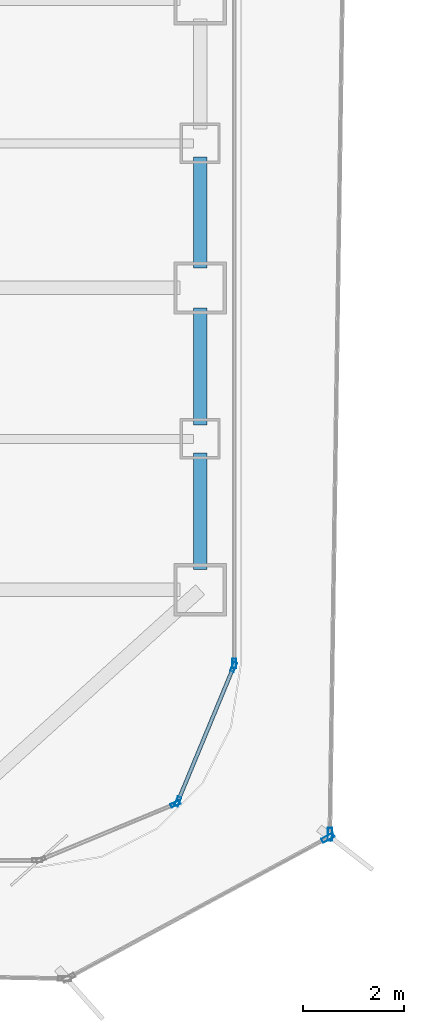
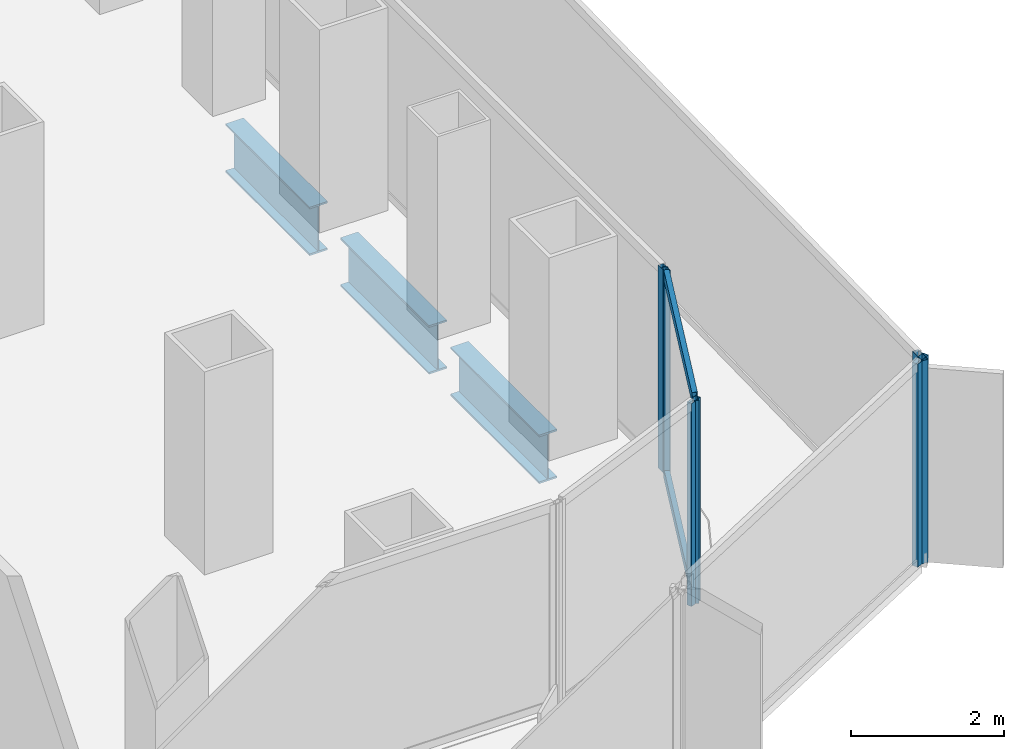
# One storey, part 8 of 22: 8 members, 3 beams, 5 elements without a shape of their own.
"""IFC4 building model written with IfcOpenShell, lengths in metres."""

import ifcopenshell
import ifcopenshell.guid

model = None  # the IFC model being written
_history = None  # IfcOwnerHistory: only IFC2X3 demands one
_inside = {}  # id of a spatial element -> (the spatial element, [elements in it])
_under = {}  # id of a project, library or spatial element -> (it, [spatial elements below it])
_declared = {}  # id of a project -> (the project, [libraries it declares])
_typed = {}  # id of a type object -> (the type object, [elements of that type])
_made_of = {}  # id of a material, layer set ... -> (it, [elements and type objects made of it])


def new_model(schema):
    """Start an empty IFC model of exactly this schema.

    Asked for "IFC4X3", IfcOpenShell would pick the latest addendum, in which some entities
    have other attributes; the version numbers below select the first issue.
    IFC2X3 requires an IfcOwnerHistory on every rooted entity: one is made here for all.
    """
    global model, _history
    if schema == "IFC4X3":
        model = ifcopenshell.file(schema_version=(4, 3, 0, 0))
    else:
        model = ifcopenshell.file(schema=schema)
    _inside.clear()
    _under.clear()
    _declared.clear()
    _typed.clear()
    _made_of.clear()
    _history = None
    if model.schema == "IFC2X3":
        org = make("IfcOrganization", Name="unknown")
        user = make(
            "IfcPersonAndOrganization",
            ThePerson=make("IfcPerson", FamilyName="unknown"),
            TheOrganization=org,
        )
        app = make(
            "IfcApplication",
            ApplicationDeveloper=org,
            Version="unknown",
            ApplicationFullName="unknown",
            ApplicationIdentifier="unknown",
        )
        _history = make(
            "IfcOwnerHistory",
            OwningUser=user,
            OwningApplication=app,
            ChangeAction="ADDED",
            CreationDate=0,
        )
    return model


def make(cls, **values):
    """One entity of the class cls with the attributes given. An attribute that is None is left unset."""
    return model.create_entity(
        cls, **{name: value for name, value in values.items() if value is not None}
    )


def rooted(cls, **values):
    """An entity with a GlobalId (a new one), such as an element, a storey or a relation."""
    return make(cls, GlobalId=ifcopenshell.guid.new(), OwnerHistory=_history, **values)


def si_unit(unit_type, name, prefix=None):
    """IfcSIUnit, for example si_unit("LENGTHUNIT", "METRE", prefix="MILLI")."""
    return make("IfcSIUnit", UnitType=unit_type, Prefix=prefix, Name=name)


def assignment(units):
    """IfcUnitAssignment: the units of a project."""
    return None if units is None else make("IfcUnitAssignment", Units=units)


def point(xyz):
    """IfcCartesianPoint."""
    return None if xyz is None else make("IfcCartesianPoint", Coordinates=xyz)


def direction(xyz):
    """IfcDirection."""
    return None if xyz is None else make("IfcDirection", DirectionRatios=xyz)


def frame(location, z_axis=None, x_axis=None):
    """IfcAxis2Placement3D, a coordinate frame: its origin and axes. An axis left out is left unset."""
    return make(
        "IfcAxis2Placement3D",
        Location=point(location),
        Axis=direction(z_axis),
        RefDirection=direction(x_axis),
    )


def frame_2d(location, x_axis=None):
    """IfcAxis2Placement2D, a coordinate frame in the plane: its origin and x axis."""
    return make(
        "IfcAxis2Placement2D", Location=point(location), RefDirection=direction(x_axis)
    )


def origin():
    """The frame at (0, 0, 0) with its axes left unset."""
    return frame((0.0, 0.0, 0.0))


def origin_2d():
    """The frame at (0, 0) in the plane with its x axis left unset."""
    return frame_2d((0.0, 0.0))


def place(relative_to, where):
    """IfcLocalPlacement: puts the frame where relative to a parent placement (None: the world)."""
    return make(
        "IfcLocalPlacement", PlacementRelTo=relative_to, RelativePlacement=where
    )


def context(
    kind, dimensions, precision=None, world=None, true_north=None, identifier=None
):
    """IfcGeometricRepresentationContext, for example the 3D "Model" context."""
    return make(
        "IfcGeometricRepresentationContext",
        ContextIdentifier=identifier,
        ContextType=kind,
        CoordinateSpaceDimension=dimensions,
        Precision=precision,
        WorldCoordinateSystem=world,
        TrueNorth=true_north,
    )


def subcontext(parent, identifier, kind, view, scale=None):
    """IfcGeometricRepresentationSubContext, for example "Body" below "Model"."""
    return make(
        "IfcGeometricRepresentationSubContext",
        ContextIdentifier=identifier,
        ContextType=kind,
        ParentContext=parent,
        TargetScale=scale,
        TargetView=view,
    )


def project(units=None, contexts=None):
    """IfcProject with its units and contexts."""
    return rooted(
        "IfcProject",
        Name="project",
        RepresentationContexts=contexts,
        UnitsInContext=assignment(units),
    )


def spatial(cls, under=None, at=None, **own):
    """A site, building, storey or space (cls), placed at a placement, below another one or the project."""
    s = rooted(cls, ObjectPlacement=at, **own)
    if under is not None:
        _under.setdefault(under.id(), (under, []))[1].append(s)
    return s


def profile(cls, at=None, kind="AREA", **sizes):
    """A parametric profile (cls). Its sizes go by their IFC names, for example OverallWidth=200.0."""
    return make(cls, ProfileType=kind, Position=at, **sizes)


def hollow_rectangle(**sizes):
    """IfcRectangleHollowProfileDef."""
    return profile("IfcRectangleHollowProfileDef", **sizes)


def i_section(**sizes):
    """IfcIShapeProfileDef."""
    return profile("IfcIShapeProfileDef", **sizes)


def extrude(swept, where, along, depth):
    """IfcExtrudedAreaSolid: the profile swept, set in the frame where, extruded along a direction by depth."""
    return make(
        "IfcExtrudedAreaSolid",
        SweptArea=swept,
        Position=where,
        ExtrudedDirection=direction(along),
        Depth=depth,
    )


def shape(context_of_items, identifier, shape_type, items):
    """IfcShapeRepresentation: the items that make up one representation, for example the "Body"."""
    return make(
        "IfcShapeRepresentation",
        ContextOfItems=context_of_items,
        RepresentationIdentifier=identifier,
        RepresentationType=shape_type,
        Items=items,
    )


def source(mapping_origin, context_of_items, identifier, shape_type, items):
    """IfcRepresentationMap: a shape defined once, which mapped items show again and again."""
    return make(
        "IfcRepresentationMap",
        MappingOrigin=mapping_origin,
        MappedRepresentation=shape(context_of_items, identifier, shape_type, items),
    )


def transform(
    local_origin,
    x_axis=None,
    y_axis=None,
    z_axis=None,
    scale=None,
    scale2=None,
    scale3=None,
    uniform=True,
):
    """IfcCartesianTransformationOperator3D, or its non-uniform kind. x_axis, y_axis, z_axis: its Axis1, 2, 3."""
    if uniform:
        return make(
            "IfcCartesianTransformationOperator3D",
            Axis1=direction(x_axis),
            Axis2=direction(y_axis),
            LocalOrigin=point(local_origin),
            Scale=scale,
            Axis3=direction(z_axis),
        )
    return make(
        "IfcCartesianTransformationOperator3DnonUniform",
        Axis1=direction(x_axis),
        Axis2=direction(y_axis),
        LocalOrigin=point(local_origin),
        Scale=scale,
        Axis3=direction(z_axis),
        Scale2=scale2,
        Scale3=scale3,
    )


def mapped(mapping_source, mapping_target):
    """IfcMappedItem: shows the shape of a source again, moved by a transform."""
    return make(
        "IfcMappedItem", MappingSource=mapping_source, MappingTarget=mapping_target
    )


def material(Name=None, Category=None):
    """IfcMaterial."""
    return make("IfcMaterial", Name=Name, Category=Category)


def layer(
    of_material, thickness, ventilated=None, Name=None, Category=None, Priority=None
):
    """IfcMaterialLayer: one layer of a wall or slab, of a material (None: an air gap)."""
    return make(
        "IfcMaterialLayer",
        Material=of_material,
        LayerThickness=thickness,
        IsVentilated=ventilated,
        Name=Name,
        Category=Category,
        Priority=Priority,
    )


def layer_set(layers, Name=None):
    """IfcMaterialLayerSet."""
    return make("IfcMaterialLayerSet", MaterialLayers=layers, LayerSetName=Name)


def material_profile(
    of_material, cross_section, Name=None, Category=None, Priority=None
):
    """IfcMaterialProfile: a cross section and its material."""
    return make(
        "IfcMaterialProfile",
        Name=Name,
        Material=of_material,
        Profile=cross_section,
        Priority=Priority,
        Category=Category,
    )


def profile_set(profiles, Name=None, composite=None):
    """IfcMaterialProfileSet."""
    return make(
        "IfcMaterialProfileSet",
        Name=Name,
        MaterialProfiles=profiles,
        CompositeProfile=composite,
    )


def made_of(thing, what):
    """Note that an element or type object is made of a material, layer set ...; save() writes the relation."""
    if what is not None:
        _made_of.setdefault(what.id(), (what, []))[1].append(thing)
    return thing


def type_object(cls, material=None, **own):
    """A type object (cls), such as IfcWallType, which elements share."""
    return made_of(rooted(cls, **own), material)


def element(
    cls,
    number,
    at=None,
    inside=None,
    cuts=None,
    type_object=None,
    material=None,
    context=None,
    identifier="Body",
    shape_type=None,
    held_by="IfcProductDefinitionShape",
    body=None,
    shapes=None,
    **own,
):
    """One element of the class cls, such as IfcWall. Its Tag is "e" and its number.

    at: its placement. inside: the storey or other place that contains it. cuts: it is an
    opening in that element (IfcRelVoidsElement). A single representation is given by context,
    identifier, shape_type and body (its items); several are given by shapes. held_by: the class
    of the entity that holds the representations. save() writes the other relations.
    """
    e = rooted(cls, Tag="e%d" % number, ObjectPlacement=at, **own)
    if body is not None:
        shapes = [shape(context, identifier, shape_type, body)]
    if shapes is not None:
        e.Representation = make(held_by, Representations=shapes)
    if inside is not None:
        _inside.setdefault(inside.id(), (inside, []))[1].append(e)
    if cuts is not None:
        rooted(
            "IfcRelVoidsElement", RelatingBuildingElement=cuts, RelatedOpeningElement=e
        )
    if type_object is not None:
        _typed.setdefault(type_object.id(), (type_object, []))[1].append(e)
    return made_of(e, material)


def aggregate(whole, parts):
    """IfcRelAggregates: a whole, such as a stair, and the parts it consists of."""
    return rooted("IfcRelAggregates", RelatingObject=whole, RelatedObjects=parts)


def save(model, path):
    """Write the relations noted so far, then the file.

    IfcRelAggregates (storeys below a building ...), IfcRelContainedInSpatialStructure (elements
    in a storey), IfcRelDefinesByType, IfcRelAssociatesMaterial and IfcRelDeclares: one each for
    every whole, place, type object, material and project.
    """
    for whole, parts in _under.values():
        aggregate(whole, parts)
    for where, things in _inside.values():
        rooted(
            "IfcRelContainedInSpatialStructure",
            RelatedElements=things,
            RelatingStructure=where,
        )
    for kind, things in _typed.values():
        rooted("IfcRelDefinesByType", RelatedObjects=things, RelatingType=kind)
    for what, things in _made_of.values():
        rooted("IfcRelAssociatesMaterial", RelatedObjects=things, RelatingMaterial=what)
    for by, libraries in _declared.values():
        rooted("IfcRelDeclares", RelatingContext=by, RelatedDefinitions=libraries)
    model.write(path)


model = new_model("IFC4")

# Units and contexts
model_context = context("Model", 3, precision=1e-05, world=origin(), true_north=direction((0.0, 1.0)))
body_context = subcontext(model_context, "Body", "Model", "MODEL_VIEW")
ifc_project = project(units=[si_unit("LENGTHUNIT", "METRE"), si_unit("AREAUNIT", "SQUARE_METRE"), si_unit("VOLUMEUNIT", "CUBIC_METRE"), si_unit("PLANEANGLEUNIT", "RADIAN"), si_unit("MASSUNIT", "GRAM", prefix="KILO")], contexts=[model_context])

# Site, building, storey
site_placement = place(None, origin())
site = spatial("IfcSite", under=ifc_project, at=site_placement, CompositionType="ELEMENT")
building_placement = place(site_placement, origin())
building = spatial("IfcBuilding", under=site, at=building_placement, Name="Kolveth Station Tower", CompositionType="ELEMENT")
storey_placement = place(building_placement, frame((0.0, 0.0, 72.89990234375)))
storey = spatial("IfcBuildingStorey", under=building, at=storey_placement, Name="L19", CompositionType="ELEMENT", Elevation=72.89990234375)

# Beams
ifc_material_1 = material(Name="Steel S355", Category="steel")
ifc_material_profile_1 = material_profile(ifc_material_1, i_section(OverallWidth=0.26904296875, OverallDepth=0.77490234375, WebThickness=0.01708984375, FlangeThickness=0.0283203125, at=origin_2d()), Name="W760x220")
ifc_profile_set_1 = profile_set([ifc_material_profile_1], Name="Steel S355")
beam_type = type_object("IfcBeamType", Name="Beam_SP1", PredefinedType="SPANDREL", material=ifc_profile_set_1)
shared_shape_1 = source(origin(), body_context, "Body", "SweptSolid", [
    extrude(i_section(OverallWidth=0.26904296875, OverallDepth=0.77490234375, WebThickness=0.01708984375, FlangeThickness=0.0283203125, at=origin_2d()), origin(), (0.0, 0.0, 1.0), 2.320068359375),
])
for number, where, z_axis, x_axis, name in (
    (1, (46.199951171875, 5.89990234375, -0.66748046875), (0.0, 1.0, 0.0), (-1.0, 0.0, 0.0), "L19 Perimeter Spandrel BM-L19-PE-1"),
    (2, (46.199951171875, 8.780029296875, -0.66748046875), (0.0, 1.0, 0.0), (-1.0, 0.0, 0.0), "L19 Perimeter Spandrel BM-L19-PE-2"),
):
    element("IfcBeam", number, at=place(storey_placement, frame(where, z_axis=z_axis, x_axis=x_axis)), inside=storey, type_object=beam_type, Name=name, PredefinedType="SPANDREL", context=body_context, shape_type="MappedRepresentation", body=[
        mapped(shared_shape_1, transform((0.0, 0.0, 0.0), x_axis=(1.0, 0.0, 0.0), y_axis=(0.0, 1.0, 0.0), z_axis=(0.0, 0.0, 1.0), scale=1.0)),
    ])
shared_shape_2 = source(origin(), body_context, "Body", "SweptSolid", [
    extrude(i_section(OverallWidth=0.26904296875, OverallDepth=0.77490234375, WebThickness=0.01708984375, FlangeThickness=0.0283203125, at=origin_2d()), origin(), (0.0, 0.0, 1.0), 2.2001953125),
])
beam_placement = place(storey_placement, frame((46.199951171875, 11.89990234375, -0.66748046875), z_axis=(0.0, 1.0, 0.0), x_axis=(-1.0, 0.0, 0.0)))
element("IfcBeam", 3, at=beam_placement, inside=storey, type_object=beam_type, Name="L19 Perimeter Spandrel BM-L19-PE-3", PredefinedType="SPANDREL", context=body_context, shape_type="MappedRepresentation", body=[
    mapped(shared_shape_2, transform((0.0, 0.0, 0.0), x_axis=(1.0, 0.0, 0.0), y_axis=(0.0, 1.0, 0.0), z_axis=(0.0, 0.0, 1.0), scale=1.0)),
])

# Curtain wall, members
ifc_material_2 = material(Name="Aluminium 6063-T6 and low-E dark glass", Category="aluminium")
ifc_layer_1 = layer(ifc_material_2, 0.179931640625)
ifc_layer_set_1 = layer_set([ifc_layer_1], Name="Aluminium 6063-T6 and low-E dark glass")
curtain_wall_type_1 = type_object("IfcCurtainWallType", Name="CurtainWall_CW-Z1", PredefinedType="NOTDEFINED", material=ifc_layer_set_1)
curtain_wall_1_placement = place(storey_placement, origin())
curtain_wall_1 = element("IfcCurtainWall", 4, at=curtain_wall_1_placement, inside=storey, type_object=curtain_wall_type_1, Name="L19 Inner Thermal Curtain Wall 2", PredefinedType="NOTDEFINED")
ifc_material_3 = material(Name="Black anodized aluminium 6063-T6", Category="aluminium")
ifc_material_profile_2 = material_profile(ifc_material_3, hollow_rectangle(XDim=0.074951171875, YDim=0.159912109375, WallThickness=0.0048828125, at=origin_2d()), Name="ALU-75x160x5")
ifc_profile_set_2 = profile_set([ifc_material_profile_2], Name="Black anodized aluminium 6063-T6")
member_type_1 = type_object("IfcMemberType", Name="Transom_TR1", PredefinedType="USERDEFINED", material=ifc_profile_set_2)
shared_shape_3 = source(origin(), body_context, "Body", "SweptSolid", [
    extrude(hollow_rectangle(XDim=0.074951171875, YDim=0.159912109375, WallThickness=0.0048828125, at=origin_2d()), origin(), (0.0, 0.0, 1.0), 2.819580078125),
])
member_1_placement = place(storey_placement, frame((45.772216796875, 1.32568359375, 0.03759765625), z_axis=(0.382708655389, 0.923869084389, 0.0), x_axis=(-0.923869084389, 0.382708655389, 0.0)))
member_1 = element("IfcMember", 5, at=member_1_placement, type_object=member_type_1, Name="CW-Z1 transom 1.1", ObjectType="TRANSOM", PredefinedType="USERDEFINED", context=body_context, shape_type="MappedRepresentation", body=[
    mapped(shared_shape_3, transform((0.0, 0.0, 0.0), x_axis=(1.0, 0.0, 0.0), y_axis=(0.0, 1.0, 0.0), z_axis=(0.0, 0.0, 1.0), scale=1.0)),
])
member_2_placement = place(storey_placement, frame((45.772216796875, 1.32568359375, 3.20263671875), z_axis=(0.382708655389, 0.923869084389, 0.0), x_axis=(-0.923869084389, 0.382708655389, 0.0)))
member_2 = element("IfcMember", 6, at=member_2_placement, type_object=member_type_1, Name="CW-Z1 transom 1.2", ObjectType="TRANSOM", PredefinedType="USERDEFINED", context=body_context, shape_type="MappedRepresentation", body=[
    mapped(shared_shape_3, transform((0.0, 0.0, 0.0), x_axis=(1.0, 0.0, 0.0), y_axis=(0.0, 1.0, 0.0), z_axis=(0.0, 0.0, 1.0), scale=1.0)),
])

# Curtain wall, member
curtain_wall_2_placement = place(storey_placement, origin())
curtain_wall_2 = element("IfcCurtainWall", 7, at=curtain_wall_2_placement, inside=storey, type_object=curtain_wall_type_1, Name="L19 Inner Thermal Curtain Wall 1", PredefinedType="NOTDEFINED")
ifc_material_profile_3 = material_profile(ifc_material_3, hollow_rectangle(XDim=0.074951171875, YDim=0.18994140625, WallThickness=0.0048828125, at=origin_2d()), Name="ALU-75x190x5")
ifc_profile_set_3 = profile_set([ifc_material_profile_3], Name="Black anodized aluminium 6063-T6")
member_type_2 = type_object("IfcMemberType", Name="Mullion_ML1", PredefinedType="MULLION", material=ifc_profile_set_3)
shared_shape_4 = source(origin(), body_context, "Body", "SweptSolid", [
    extrude(hollow_rectangle(XDim=0.074951171875, YDim=0.18994140625, WallThickness=0.0048828125, at=origin_2d()), origin(), (0.0, 0.0, 1.0), 3.239990234375),
])
member_3_placement = place(storey_placement, frame((45.708984375, 1.241943359375, 0.0), z_axis=(0.0, 0.0, 1.0), x_axis=(-0.382672990201, 0.923883857728, 0.0)))
member_3 = element("IfcMember", 8, at=member_3_placement, type_object=member_type_2, Name="CW-Z1 mullion 2", PredefinedType="MULLION", context=body_context, shape_type="MappedRepresentation", body=[
    mapped(shared_shape_4, transform((0.0, 0.0, 0.0), x_axis=(1.0, 0.0, 0.0), y_axis=(0.0, 1.0, 0.0), z_axis=(0.0, 0.0, 1.0), scale=1.0)),
])
aggregate(curtain_wall_2, [member_3])

# Member
member_4_placement = place(storey_placement, frame((45.758056640625, 1.291015625, 0.0), z_axis=(0.0, 0.0, 1.0), x_axis=(-0.923883857728, 0.382672990201, 0.0)))
member_4 = element("IfcMember", 9, at=member_4_placement, type_object=member_type_2, Name="CW-Z1 mullion 1", PredefinedType="MULLION", context=body_context, shape_type="MappedRepresentation", body=[
    mapped(shared_shape_4, transform((0.0, 0.0, 0.0), x_axis=(1.0, 0.0, 0.0), y_axis=(0.0, 1.0, 0.0), z_axis=(0.0, 0.0, 1.0), scale=1.0)),
])

member_5_placement = place(storey_placement, frame((46.86572265625, 3.96533203125, 0.0), z_axis=(0.0, 0.0, 1.0), x_axis=(-0.923883857728, 0.382672990201, 0.0)))
member_5 = element("IfcMember", 10, at=member_5_placement, type_object=member_type_2, Name="CW-Z1 mullion 2", PredefinedType="MULLION", context=body_context, shape_type="MappedRepresentation", body=[
    mapped(shared_shape_4, transform((0.0, 0.0, 0.0), x_axis=(1.0, 0.0, 0.0), y_axis=(0.0, 1.0, 0.0), z_axis=(0.0, 0.0, 1.0), scale=1.0)),
])

aggregate(curtain_wall_1, [member_4, member_5, member_1, member_2])

# Curtain wall, member
curtain_wall_3_placement = place(storey_placement, origin())
curtain_wall_3 = element("IfcCurtainWall", 11, at=curtain_wall_3_placement, inside=storey, type_object=curtain_wall_type_1, Name="L19 Inner Thermal Curtain Wall 3", PredefinedType="NOTDEFINED")
member_6_placement = place(storey_placement, frame((46.8798828125, 4.03759765625, 0.0), z_axis=(0.0, 0.0, 1.0), x_axis=(-1.0, 0.0, 0.0)))
member_6 = element("IfcMember", 12, at=member_6_placement, type_object=member_type_2, Name="CW-Z1 mullion 1", PredefinedType="MULLION", context=body_context, shape_type="MappedRepresentation", body=[
    mapped(shared_shape_4, transform((0.0, 0.0, 0.0), x_axis=(1.0, 0.0, 0.0), y_axis=(0.0, 1.0, 0.0), z_axis=(0.0, 0.0, 1.0), scale=1.0)),
])
aggregate(curtain_wall_3, [member_6])

ifc_material_4 = material(Name="Black anodized aluminium 6063-T6 and dark solar glass", Category="aluminium")
ifc_layer_2 = layer(ifc_material_4, 0.159912109375)
ifc_layer_set_2 = layer_set([ifc_layer_2], Name="Black anodized aluminium 6063-T6 and dark solar glass")
curtain_wall_type_2 = type_object("IfcCurtainWallType", Name="OUTER SKIN CW-OS", PredefinedType="NOTDEFINED", material=ifc_layer_set_2)
curtain_wall_4_placement = place(storey_placement, origin())
curtain_wall_4 = element("IfcCurtainWall", 13, at=curtain_wall_4_placement, inside=storey, type_object=curtain_wall_type_2, Name="L19 Outer Ventilated Skin Curtain Wall 1", PredefinedType="NOTDEFINED")
ifc_material_profile_4 = material_profile(ifc_material_3, hollow_rectangle(XDim=0.090087890625, YDim=0.260009765625, WallThickness=0.0048828125, at=origin_2d()), Name="ALU-90x260x5")
ifc_profile_set_4 = profile_set([ifc_material_profile_4], Name="Black anodized aluminium 6063-T6")
member_type_3 = type_object("IfcMemberType", Name="FIN MULLION ML-OS", PredefinedType="MULLION", material=ifc_profile_set_4)
shared_shape_5 = source(origin(), body_context, "Body", "SweptSolid", [
    extrude(hollow_rectangle(XDim=0.090087890625, YDim=0.260009765625, WallThickness=0.0048828125, at=origin_2d()), origin(), (0.0, 0.0, 1.0), 3.239990234375),
])
member_7_placement = place(storey_placement, frame((48.74169921875, 0.569580078125, 0.0), z_axis=(0.0, 0.0, 1.0), x_axis=(-0.474975191796, 0.879999185896, 0.0)))
member_7 = element("IfcMember", 14, at=member_7_placement, type_object=member_type_3, Name="CW-OS mullion 2", PredefinedType="MULLION", context=body_context, shape_type="MappedRepresentation", body=[
    mapped(shared_shape_5, transform((0.0, 0.0, 0.0), x_axis=(1.0, 0.0, 0.0), y_axis=(0.0, 1.0, 0.0), z_axis=(0.0, 0.0, 1.0), scale=1.0)),
])
aggregate(curtain_wall_4, [member_7])

curtain_wall_5_placement = place(storey_placement, origin())
curtain_wall_5 = element("IfcCurtainWall", 15, at=curtain_wall_5_placement, inside=storey, type_object=curtain_wall_type_2, Name="L19 Outer Ventilated Skin Curtain Wall 2", PredefinedType="NOTDEFINED")
member_8_placement = place(storey_placement, frame((48.781982421875, 0.635986328125, 0.0), z_axis=(0.0, 0.0, 1.0), x_axis=(-0.999887871848, 0.014974769827, 0.0)))
member_8 = element("IfcMember", 16, at=member_8_placement, type_object=member_type_3, Name="CW-OS mullion 1", PredefinedType="MULLION", context=body_context, shape_type="MappedRepresentation", body=[
    mapped(shared_shape_5, transform((0.0, 0.0, 0.0), x_axis=(1.0, 0.0, 0.0), y_axis=(0.0, 1.0, 0.0), z_axis=(0.0, 0.0, 1.0), scale=1.0)),
])
aggregate(curtain_wall_5, [member_8])

save(model, "model.ifc")
